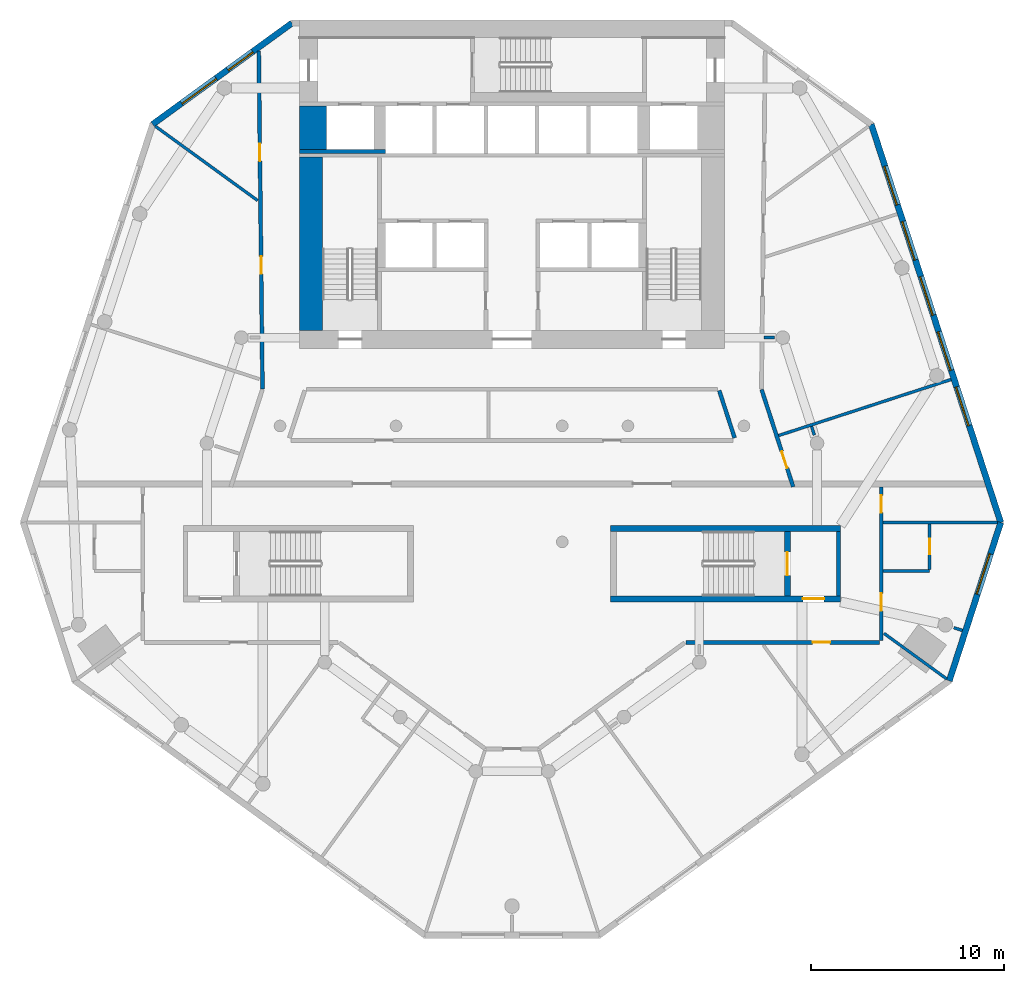
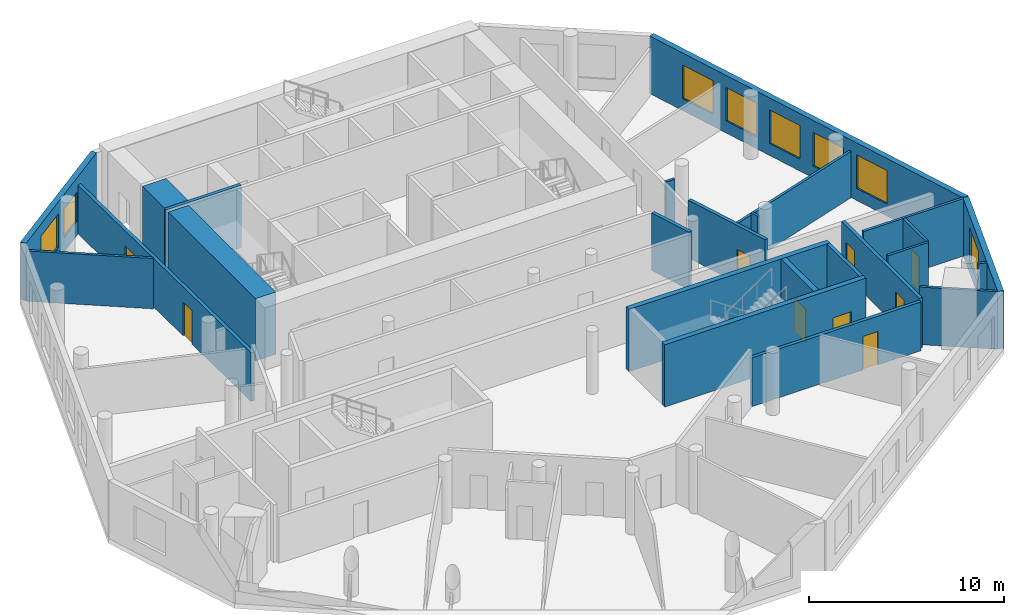
# One storey, part 4 of 8: 24 walls, 9 doors, 8 windows, 17 openings.
"""IFC4 building model written with IfcOpenShell, lengths in metres."""

import ifcopenshell
import ifcopenshell.guid

model = None  # the IFC model being written
_history = None  # IfcOwnerHistory: only IFC2X3 demands one
_inside = {}  # id of a spatial element -> (the spatial element, [elements in it])
_under = {}  # id of a project, library or spatial element -> (it, [spatial elements below it])
_declared = {}  # id of a project -> (the project, [libraries it declares])
_typed = {}  # id of a type object -> (the type object, [elements of that type])
_made_of = {}  # id of a material, layer set ... -> (it, [elements and type objects made of it])


def new_model(schema):
    """Start an empty IFC model of exactly this schema.

    Asked for "IFC4X3", IfcOpenShell would pick the latest addendum, in which some entities
    have other attributes; the version numbers below select the first issue.
    IFC2X3 requires an IfcOwnerHistory on every rooted entity: one is made here for all.
    """
    global model, _history
    if schema == "IFC4X3":
        model = ifcopenshell.file(schema_version=(4, 3, 0, 0))
    else:
        model = ifcopenshell.file(schema=schema)
    _inside.clear()
    _under.clear()
    _declared.clear()
    _typed.clear()
    _made_of.clear()
    _history = None
    if model.schema == "IFC2X3":
        org = make("IfcOrganization", Name="unknown")
        user = make(
            "IfcPersonAndOrganization",
            ThePerson=make("IfcPerson", FamilyName="unknown"),
            TheOrganization=org,
        )
        app = make(
            "IfcApplication",
            ApplicationDeveloper=org,
            Version="unknown",
            ApplicationFullName="unknown",
            ApplicationIdentifier="unknown",
        )
        _history = make(
            "IfcOwnerHistory",
            OwningUser=user,
            OwningApplication=app,
            ChangeAction="ADDED",
            CreationDate=0,
        )
    return model


def make(cls, **values):
    """One entity of the class cls with the attributes given. An attribute that is None is left unset."""
    return model.create_entity(
        cls, **{name: value for name, value in values.items() if value is not None}
    )


def rooted(cls, **values):
    """An entity with a GlobalId (a new one), such as an element, a storey or a relation."""
    return make(cls, GlobalId=ifcopenshell.guid.new(), OwnerHistory=_history, **values)


def si_unit(unit_type, name, prefix=None):
    """IfcSIUnit, for example si_unit("LENGTHUNIT", "METRE", prefix="MILLI")."""
    return make("IfcSIUnit", UnitType=unit_type, Prefix=prefix, Name=name)


def assignment(units):
    """IfcUnitAssignment: the units of a project."""
    return None if units is None else make("IfcUnitAssignment", Units=units)


def point(xyz):
    """IfcCartesianPoint."""
    return None if xyz is None else make("IfcCartesianPoint", Coordinates=xyz)


def direction(xyz):
    """IfcDirection."""
    return None if xyz is None else make("IfcDirection", DirectionRatios=xyz)


def frame(location, z_axis=None, x_axis=None):
    """IfcAxis2Placement3D, a coordinate frame: its origin and axes. An axis left out is left unset."""
    return make(
        "IfcAxis2Placement3D",
        Location=point(location),
        Axis=direction(z_axis),
        RefDirection=direction(x_axis),
    )


def frame_2d(location, x_axis=None):
    """IfcAxis2Placement2D, a coordinate frame in the plane: its origin and x axis."""
    return make(
        "IfcAxis2Placement2D", Location=point(location), RefDirection=direction(x_axis)
    )


def origin():
    """The frame at (0, 0, 0) with its axes left unset."""
    return frame((0.0, 0.0, 0.0))


def place(relative_to, where):
    """IfcLocalPlacement: puts the frame where relative to a parent placement (None: the world)."""
    return make(
        "IfcLocalPlacement", PlacementRelTo=relative_to, RelativePlacement=where
    )


def context(
    kind, dimensions, precision=None, world=None, true_north=None, identifier=None
):
    """IfcGeometricRepresentationContext, for example the 3D "Model" context."""
    return make(
        "IfcGeometricRepresentationContext",
        ContextIdentifier=identifier,
        ContextType=kind,
        CoordinateSpaceDimension=dimensions,
        Precision=precision,
        WorldCoordinateSystem=world,
        TrueNorth=true_north,
    )


def subcontext(parent, identifier, kind, view, scale=None):
    """IfcGeometricRepresentationSubContext, for example "Body" below "Model"."""
    return make(
        "IfcGeometricRepresentationSubContext",
        ContextIdentifier=identifier,
        ContextType=kind,
        ParentContext=parent,
        TargetScale=scale,
        TargetView=view,
    )


def project(units=None, contexts=None):
    """IfcProject with its units and contexts."""
    return rooted(
        "IfcProject",
        Name="project",
        RepresentationContexts=contexts,
        UnitsInContext=assignment(units),
    )


def spatial(cls, under=None, at=None, **own):
    """A site, building, storey or space (cls), placed at a placement, below another one or the project."""
    s = rooted(cls, ObjectPlacement=at, **own)
    if under is not None:
        _under.setdefault(under.id(), (under, []))[1].append(s)
    return s


def profile(cls, at=None, kind="AREA", **sizes):
    """A parametric profile (cls). Its sizes go by their IFC names, for example OverallWidth=200.0."""
    return make(cls, ProfileType=kind, Position=at, **sizes)


def rectangle(**sizes):
    """IfcRectangleProfileDef."""
    return profile("IfcRectangleProfileDef", **sizes)


def extrude(swept, where, along, depth):
    """IfcExtrudedAreaSolid: the profile swept, set in the frame where, extruded along a direction by depth."""
    return make(
        "IfcExtrudedAreaSolid",
        SweptArea=swept,
        Position=where,
        ExtrudedDirection=direction(along),
        Depth=depth,
    )


def shape(context_of_items, identifier, shape_type, items):
    """IfcShapeRepresentation: the items that make up one representation, for example the "Body"."""
    return make(
        "IfcShapeRepresentation",
        ContextOfItems=context_of_items,
        RepresentationIdentifier=identifier,
        RepresentationType=shape_type,
        Items=items,
    )


def material(Name=None, Category=None):
    """IfcMaterial."""
    return make("IfcMaterial", Name=Name, Category=Category)


def layer(
    of_material, thickness, ventilated=None, Name=None, Category=None, Priority=None
):
    """IfcMaterialLayer: one layer of a wall or slab, of a material (None: an air gap)."""
    return make(
        "IfcMaterialLayer",
        Material=of_material,
        LayerThickness=thickness,
        IsVentilated=ventilated,
        Name=Name,
        Category=Category,
        Priority=Priority,
    )


def layer_set(layers, Name=None):
    """IfcMaterialLayerSet."""
    return make("IfcMaterialLayerSet", MaterialLayers=layers, LayerSetName=Name)


def made_of(thing, what):
    """Note that an element or type object is made of a material, layer set ...; save() writes the relation."""
    if what is not None:
        _made_of.setdefault(what.id(), (what, []))[1].append(thing)
    return thing


def type_object(cls, material=None, **own):
    """A type object (cls), such as IfcWallType, which elements share."""
    return made_of(rooted(cls, **own), material)


def element(
    cls,
    number,
    at=None,
    inside=None,
    cuts=None,
    type_object=None,
    material=None,
    context=None,
    identifier="Body",
    shape_type=None,
    held_by="IfcProductDefinitionShape",
    body=None,
    shapes=None,
    **own,
):
    """One element of the class cls, such as IfcWall. Its Tag is "e" and its number.

    at: its placement. inside: the storey or other place that contains it. cuts: it is an
    opening in that element (IfcRelVoidsElement). A single representation is given by context,
    identifier, shape_type and body (its items); several are given by shapes. held_by: the class
    of the entity that holds the representations. save() writes the other relations.
    """
    e = rooted(cls, Tag="e%d" % number, ObjectPlacement=at, **own)
    if body is not None:
        shapes = [shape(context, identifier, shape_type, body)]
    if shapes is not None:
        e.Representation = make(held_by, Representations=shapes)
    if inside is not None:
        _inside.setdefault(inside.id(), (inside, []))[1].append(e)
    if cuts is not None:
        rooted(
            "IfcRelVoidsElement", RelatingBuildingElement=cuts, RelatedOpeningElement=e
        )
    if type_object is not None:
        _typed.setdefault(type_object.id(), (type_object, []))[1].append(e)
    return made_of(e, material)


def fill(opening, filler):
    """IfcRelFillsElement: the door or window that sits in an opening."""
    return rooted(
        "IfcRelFillsElement",
        RelatingOpeningElement=opening,
        RelatedBuildingElement=filler,
    )


def aggregate(whole, parts):
    """IfcRelAggregates: a whole, such as a stair, and the parts it consists of."""
    return rooted("IfcRelAggregates", RelatingObject=whole, RelatedObjects=parts)


def save(model, path):
    """Write the relations noted so far, then the file.

    IfcRelAggregates (storeys below a building ...), IfcRelContainedInSpatialStructure (elements
    in a storey), IfcRelDefinesByType, IfcRelAssociatesMaterial and IfcRelDeclares: one each for
    every whole, place, type object, material and project.
    """
    for whole, parts in _under.values():
        aggregate(whole, parts)
    for where, things in _inside.values():
        rooted(
            "IfcRelContainedInSpatialStructure",
            RelatedElements=things,
            RelatingStructure=where,
        )
    for kind, things in _typed.values():
        rooted("IfcRelDefinesByType", RelatedObjects=things, RelatingType=kind)
    for what, things in _made_of.values():
        rooted("IfcRelAssociatesMaterial", RelatedObjects=things, RelatingMaterial=what)
    for by, libraries in _declared.values():
        rooted("IfcRelDeclares", RelatingContext=by, RelatedDefinitions=libraries)
    model.write(path)


model = new_model("IFC4")

# Units and contexts
model_context = context("Model", 3, precision=1e-05, world=origin(), true_north=direction((0.0, 1.0)))
body_context = subcontext(model_context, "Body", "Model", "MODEL_VIEW")
ifc_project = project(units=[si_unit("LENGTHUNIT", "METRE"), si_unit("AREAUNIT", "SQUARE_METRE"), si_unit("VOLUMEUNIT", "CUBIC_METRE"), si_unit("PLANEANGLEUNIT", "RADIAN"), si_unit("MASSUNIT", "GRAM", prefix="KILO")], contexts=[model_context])

# Site, building, storey
site_placement = place(None, origin())
site = spatial("IfcSite", under=ifc_project, at=site_placement, CompositionType="ELEMENT")
building_placement = place(site_placement, origin())
building = spatial("IfcBuilding", under=site, at=building_placement, Name="White Candle Pilgrim Tower", CompositionType="ELEMENT")
storey_placement = place(building_placement, frame((0.0, 0.0, 152.5)))
storey = spatial("IfcBuildingStorey", under=building, at=storey_placement, Name="L34", CompositionType="ELEMENT", Elevation=152.5)

# Walls
ifc_material_1 = material(Name="Concrete C60/75", Category="concrete")
ifc_layer_1 = layer(ifc_material_1, 1.39990234375)
ifc_layer_set_1 = layer_set([ifc_layer_1], Name="Core wall 1400 mm Concrete C60/75")
wall_type_1 = type_object("IfcWallType", Name="Core wall 1400 mm Concrete C60/75", PredefinedType="SHEAR", material=ifc_layer_set_1)
wall_1_placement = place(storey_placement, frame((59.699951171875, 81.300048828125, 0.0), z_axis=(0.0, 0.0, 1.0), x_axis=(0.0, 1.0, 0.0)))
element("IfcWall", 1, at=wall_1_placement, inside=storey, type_object=wall_type_1, Name="WL-L34-C37", PredefinedType="SHEAR", context=body_context, shape_type="SweptSolid", body=[
    extrude(rectangle(XDim=2.25, YDim=1.39990234375, at=frame_2d((1.125, 0.0))), origin(), (0.0, 0.0, 1.0), 3.89990234375),
])
ifc_layer_2 = layer(ifc_material_1, 0.199951171875)
ifc_layer_set_2 = layer_set([ifc_layer_2], Name="Core wall 200 mm Concrete C60/75")
wall_type_2 = type_object("IfcWallType", Name="Core wall 200 mm Concrete C60/75", PredefinedType="SHEAR", material=ifc_layer_set_2)
wall_2_placement = place(storey_placement, frame((86.89990234375, 58.199951171875, 0.0), z_axis=(0.0, 0.0, 1.0), x_axis=(0.0, 1.0, 0.0)))
element("IfcWall", 2, at=wall_2_placement, inside=storey, type_object=wall_type_2, Name="WL-L34-C08", PredefinedType="SHEAR", context=body_context, shape_type="SweptSolid", body=[
    extrude(rectangle(XDim=3.35009765625, YDim=0.199951171875, at=frame_2d((1.675048828125, 0.0))), origin(), (0.0, 0.0, 1.0), 3.89990234375),
])
wall_3_placement = place(storey_placement, frame((59.0, 81.199951171875, 0.0), z_axis=(0.0, 0.0, 1.0), x_axis=(1.0, 0.0, 0.0)))
element("IfcWall", 3, at=wall_3_placement, inside=storey, type_object=wall_type_2, Name="WL-L34-C31", PredefinedType="SHEAR", context=body_context, shape_type="SweptSolid", body=[
    extrude(rectangle(XDim=4.449951171875, YDim=0.199951171875, at=frame_2d((2.22509765625, 0.0))), origin(), (0.0, 0.0, 1.0), 3.89990234375),
])

# Wall, openings, doors
ifc_material_2 = material(Name="Gypsum board on steel studs", Category="steel")
ifc_layer_3 = layer(ifc_material_2, 0.199951171875)
ifc_layer_set_3 = layer_set([ifc_layer_3], Name="Corridor wall 200 mm EI 45")
wall_type_3 = type_object("IfcWallType", Name="Corridor wall 200 mm EI 45", PredefinedType="PARTITIONING", material=ifc_layer_set_3)
wall_4_placement = place(storey_placement, frame((57.09326171875, 68.91650390625, 0.0), z_axis=(0.0, 0.0, 1.0), x_axis=(-0.011061239263, 0.999938822622, 0.0)))
wall_4 = element("IfcWall", 4, at=wall_4_placement, inside=storey, type_object=wall_type_3, Name="WL-L34-P003", PredefinedType="PARTITIONING", context=body_context, shape_type="SweptSolid", body=[
    extrude(rectangle(XDim=17.480712890625, YDim=0.199951171875, at=frame_2d((8.740234375, 0.0))), origin(), (0.0, 0.0, 1.0), 3.050048828125),
])
opening_1_placement = place(wall_4_placement, frame((5.951416015625, 0.0, 0.0)))
opening_1 = element("IfcOpeningElement", 5, at=opening_1_placement, cuts=wall_4, Name="Opening T10-118", PredefinedType="OPENING", context=body_context, shape_type="SweptSolid", body=[
    extrude(rectangle(XDim=0.89990234375, YDim=2.10009765625, at=frame_2d((0.449951171875, 1.050048828125))), frame((0.0, 0.10986328125, 0.0), z_axis=(0.0, -1.0, 0.0), x_axis=(1.0, 0.0, 0.0)), (0.0, 0.0, 1.0), 0.219970703125),
])
opening_2_placement = place(wall_4_placement, frame((11.78662109375, 0.0, 0.0)))
opening_2 = element("IfcOpeningElement", 6, at=opening_2_placement, cuts=wall_4, Name="Opening T10-119", PredefinedType="OPENING", context=body_context, shape_type="SweptSolid", body=[
    extrude(rectangle(XDim=0.89990234375, YDim=2.10009765625, at=frame_2d((0.449951171875, 1.050048828125))), frame((0.0, 0.10986328125, 0.0), z_axis=(0.0, -1.0, 0.0), x_axis=(1.0, 0.0, 0.0)), (0.0, 0.0, 1.0), 0.219970703125),
])
ifc_material_3 = material(Name="Steel door leaf", Category="steel")
door_type_1 = type_object("IfcDoorType", Name="Fire door 900 x 2100 EI 30", OperationType="NOTDEFINED", PredefinedType="DOOR", material=ifc_material_3)
door_1_placement = place(opening_1_placement, origin())
door_1 = element("IfcDoor", 7, at=door_1_placement, inside=storey, type_object=door_type_1, Name="Door T10-118", OperationType="SINGLE_SWING_RIGHT", OverallHeight=2.10009765625, OverallWidth=0.89990234375, PredefinedType="DOOR", context=body_context, shape_type="SweptSolid", body=[
    extrude(rectangle(XDim=0.89990234375, YDim=2.10009765625, at=frame_2d((0.449951171875, 1.050048828125))), frame((0.0, 0.02490234375, 0.0), z_axis=(0.0, -1.0, 0.0), x_axis=(1.0, 0.0, 0.0)), (0.0, 0.0, 1.0), 0.050048828125),
])
fill(opening_1, door_1)
door_2_placement = place(opening_2_placement, origin())
door_2 = element("IfcDoor", 8, at=door_2_placement, inside=storey, type_object=door_type_1, Name="Door T10-119", OperationType="SINGLE_SWING_LEFT", OverallHeight=2.10009765625, OverallWidth=0.89990234375, PredefinedType="DOOR", context=body_context, shape_type="SweptSolid", body=[
    extrude(rectangle(XDim=0.89990234375, YDim=2.10009765625, at=frame_2d((0.449951171875, 1.050048828125))), frame((0.0, 0.02490234375, 0.0), z_axis=(0.0, -1.0, 0.0), x_axis=(1.0, 0.0, 0.0)), (0.0, 0.0, 1.0), 0.050048828125),
])
fill(opening_2, door_2)

# Wall, opening, door
wall_5_placement = place(storey_placement, frame((82.91162109375, 68.884521484375, 0.0), z_axis=(0.0, 0.0, 1.0), x_axis=(0.309009941901, -0.951058807754, 0.0)))
wall_5 = element("IfcWall", 9, at=wall_5_placement, inside=storey, type_object=wall_type_3, Name="WL-L34-P005", PredefinedType="PARTITIONING", context=body_context, shape_type="SweptSolid", body=[
    extrude(rectangle(XDim=5.29345703125, YDim=0.199951171875, at=frame_2d((2.646728515625, 0.0))), origin(), (0.0, 0.0, 1.0), 3.60009765625),
])
opening_3_placement = place(wall_5_placement, frame((3.375, 0.0, 0.0)))
opening_3 = element("IfcOpeningElement", 10, at=opening_3_placement, cuts=wall_5, Name="Opening T10-123", PredefinedType="OPENING", context=body_context, shape_type="SweptSolid", body=[
    extrude(rectangle(XDim=0.89990234375, YDim=2.10009765625, at=frame_2d((0.449951171875, 1.050048828125))), frame((0.0, 0.10986328125, 0.0), z_axis=(0.0, -1.0, 0.0), x_axis=(1.0, 0.0, 0.0)), (0.0, 0.0, 1.0), 0.219970703125),
])
door_3_placement = place(opening_3_placement, origin())
door_3 = element("IfcDoor", 11, at=door_3_placement, inside=storey, type_object=door_type_1, Name="Door T10-123", OperationType="SINGLE_SWING_LEFT", OverallHeight=2.10009765625, OverallWidth=0.89990234375, PredefinedType="DOOR", context=body_context, shape_type="SweptSolid", body=[
    extrude(rectangle(XDim=0.89990234375, YDim=2.10009765625, at=frame_2d((0.449951171875, 1.050048828125))), frame((0.0, 0.02490234375, 0.0), z_axis=(0.0, -1.0, 0.0), x_axis=(1.0, 0.0, 0.0)), (0.0, 0.0, 1.0), 0.050048828125),
])
fill(opening_3, door_3)

# Wall, openings, doors
wall_6_placement = place(storey_placement, frame((89.10009765625, 63.85009765625, 0.0), z_axis=(0.0, 0.0, 1.0), x_axis=(0.0, -1.0, 0.0)))
wall_6 = element("IfcWall", 12, at=wall_6_placement, inside=storey, type_object=wall_type_3, Name="WL-L34-P006", PredefinedType="PARTITIONING", context=body_context, shape_type="SweptSolid", body=[
    extrude(rectangle(XDim=7.9501953125, YDim=0.199951171875, at=frame_2d((3.97509765625, 0.0))), origin(), (0.0, 0.0, 1.0), 3.14990234375),
])
opening_4_placement = place(wall_6_placement, frame((5.51220703125, 0.0, 0.0)))
opening_4 = element("IfcOpeningElement", 13, at=opening_4_placement, cuts=wall_6, Name="Opening T10-112", PredefinedType="OPENING", context=body_context, shape_type="SweptSolid", body=[
    extrude(rectangle(XDim=0.89990234375, YDim=2.10009765625, at=frame_2d((0.449951171875, 1.050048828125))), frame((0.0, 0.10986328125, 0.0), z_axis=(0.0, -1.0, 0.0), x_axis=(1.0, 0.0, 0.0)), (0.0, 0.0, 1.0), 0.219970703125),
])
opening_5_placement = place(wall_6_placement, frame((0.436279296875, 0.0, 0.0)))
opening_5 = element("IfcOpeningElement", 14, at=opening_5_placement, cuts=wall_6, Name="Opening T10-124", PredefinedType="OPENING", context=body_context, shape_type="SweptSolid", body=[
    extrude(rectangle(XDim=0.89990234375, YDim=2.10009765625, at=frame_2d((0.449951171875, 1.050048828125))), frame((0.0, 0.10986328125, 0.0), z_axis=(0.0, -1.0, 0.0), x_axis=(1.0, 0.0, 0.0)), (0.0, 0.0, 1.0), 0.219970703125),
])
door_4_placement = place(opening_4_placement, origin())
door_4 = element("IfcDoor", 15, at=door_4_placement, inside=storey, type_object=door_type_1, Name="Door T10-112", OperationType="SINGLE_SWING_RIGHT", OverallHeight=2.10009765625, OverallWidth=0.89990234375, PredefinedType="DOOR", context=body_context, shape_type="SweptSolid", body=[
    extrude(rectangle(XDim=0.89990234375, YDim=2.10009765625, at=frame_2d((0.449951171875, 1.050048828125))), frame((0.0, 0.02490234375, 0.0), z_axis=(0.0, -1.0, 0.0), x_axis=(1.0, 0.0, 0.0)), (0.0, 0.0, 1.0), 0.050048828125),
])
fill(opening_4, door_4)
door_5_placement = place(opening_5_placement, origin())
door_5 = element("IfcDoor", 16, at=door_5_placement, inside=storey, type_object=door_type_1, Name="Door T10-124", OperationType="SINGLE_SWING_RIGHT", OverallHeight=2.10009765625, OverallWidth=0.89990234375, PredefinedType="DOOR", context=body_context, shape_type="SweptSolid", body=[
    extrude(rectangle(XDim=0.89990234375, YDim=2.10009765625, at=frame_2d((0.449951171875, 1.050048828125))), frame((0.0, 0.02490234375, 0.0), z_axis=(0.0, -1.0, 0.0), x_axis=(1.0, 0.0, 0.0)), (0.0, 0.0, 1.0), 0.050048828125),
])
fill(opening_5, door_5)

# Wall, opening, door
wall_7_placement = place(storey_placement, frame((89.0, 55.800048828125, 0.0), z_axis=(0.0, 0.0, 1.0), x_axis=(-1.0, 0.0, 0.0)))
wall_7 = element("IfcWall", 17, at=wall_7_placement, inside=storey, type_object=wall_type_3, Name="WL-L34-P007", PredefinedType="PARTITIONING", context=body_context, shape_type="SweptSolid", body=[
    extrude(rectangle(XDim=10.010986328125, YDim=0.199951171875, at=frame_2d((5.00537109375, 0.0))), origin(), (0.0, 0.0, 1.0), 3.050048828125),
])
opening_6_placement = place(wall_7_placement, frame((2.548583984375, 0.0, 0.0)))
opening_6 = element("IfcOpeningElement", 18, at=opening_6_placement, cuts=wall_7, Name="Opening T10-110", PredefinedType="OPENING", context=body_context, shape_type="SweptSolid", body=[
    extrude(rectangle(XDim=0.89990234375, YDim=2.10009765625, at=frame_2d((0.449951171875, 1.050048828125))), frame((0.0, 0.10986328125, 0.0), z_axis=(0.0, -1.0, 0.0), x_axis=(1.0, 0.0, 0.0)), (0.0, 0.0, 1.0), 0.219970703125),
])
door_6_placement = place(opening_6_placement, origin())
door_6 = element("IfcDoor", 19, at=door_6_placement, inside=storey, type_object=door_type_1, Name="Door T10-110", OperationType="SINGLE_SWING_RIGHT", OverallHeight=2.10009765625, OverallWidth=0.89990234375, PredefinedType="DOOR", context=body_context, shape_type="SweptSolid", body=[
    extrude(rectangle(XDim=0.89990234375, YDim=2.10009765625, at=frame_2d((0.449951171875, 1.050048828125))), frame((0.0, 0.02490234375, 0.0), z_axis=(0.0, -1.0, 0.0), x_axis=(1.0, 0.0, 0.0)), (0.0, 0.0, 1.0), 0.050048828125),
])
fill(opening_6, door_6)

# Wall
wall_8_placement = place(storey_placement, frame((81.516845703125, 66.380859375, 0.0), z_axis=(0.0, 0.0, 1.0), x_axis=(-0.308968203288, 0.951072368097, 0.0)))
element("IfcWall", 20, at=wall_8_placement, inside=storey, type_object=wall_type_3, Name="WL-L34-P014", PredefinedType="PARTITIONING", context=body_context, shape_type="SweptSolid", body=[
    extrude(rectangle(XDim=2.575927734375, YDim=0.199951171875, at=frame_2d((1.2880859375, 0.0))), origin(), (0.0, 0.0, 1.0), 3.60009765625),
])

# Wall, opening, window
ifc_material_4 = material(Name="Precast concrete C40/50", Category="concrete")
ifc_layer_4 = layer(ifc_material_4, 0.320068359375)
ifc_layer_set_4 = layer_set([ifc_layer_4], Name="Facade wall EW1 precast concrete C40/50 pier wall with timber-lined reveals")
wall_type_4 = type_object("IfcWallType", Name="Facade wall EW1 precast concrete C40/50 pier wall with timber-lined reveals", PredefinedType="SOLIDWALL", material=ifc_layer_set_4)
wall_9_placement = place(storey_placement, frame((92.623291015625, 53.81396484375, 0.0), z_axis=(0.0, 0.0, 1.0), x_axis=(0.309030288319, 0.951052196728, 0.0)))
wall_9 = element("IfcWall", 21, at=wall_9_placement, inside=storey, type_object=wall_type_4, Name="Facade wall L34 E chamfer", PredefinedType="SOLIDWALL", context=body_context, shape_type="SweptSolid", body=[
    extrude(rectangle(XDim=8.609619140625, YDim=0.320068359375, at=frame_2d((4.3046875, 0.0))), origin(), (0.0, 0.0, 1.0), 3.60009765625),
])
opening_7_placement = place(wall_9_placement, frame((4.704833984375, 0.0, 0.75)))
opening_7 = element("IfcOpeningElement", 22, at=opening_7_placement, cuts=wall_9, Name="Opening W4", PredefinedType="OPENING", context=body_context, shape_type="SweptSolid", body=[
    extrude(rectangle(XDim=2.199951171875, YDim=2.10009765625, at=frame_2d((1.10009765625, 1.050048828125))), frame((0.0, 0.169921875, 0.0), z_axis=(0.0, -1.0, 0.0), x_axis=(1.0, 0.0, 0.0)), (0.0, 0.0, 1.0), 0.340087890625),
])
ifc_material_5 = material(Name="Timber frame with triple glazing", Category="wood")
window_type_1 = type_object("IfcWindowType", Name="Window W4 2200x2100 timber frame triple glazing", PartitioningType="SINGLE_PANEL", PredefinedType="WINDOW", material=ifc_material_5)
window_1_placement = place(opening_7_placement, origin())
window_1 = element("IfcWindow", 23, at=window_1_placement, inside=storey, type_object=window_type_1, Name="Window W4 L34 E chamfer 2", OverallHeight=2.10009765625, OverallWidth=2.199951171875, PartitioningType="SINGLE_PANEL", PredefinedType="WINDOW", context=body_context, shape_type="SweptSolid", body=[
    extrude(rectangle(XDim=2.199951171875, YDim=2.10009765625, at=frame_2d((1.10009765625, 1.050048828125))), frame((0.0, 0.070068359375, 0.0), z_axis=(0.0, -1.0, 0.0), x_axis=(1.0, 0.0, 0.0)), (0.0, 0.0, 1.0), 0.06005859375),
])
fill(opening_7, window_1)

# Wall, openings, windows
wall_10_placement = place(storey_placement, frame((95.283935546875, 62.002197265625, 0.0), z_axis=(0.0, 0.0, 1.0), x_axis=(-0.309020837221, 0.95105526767, 0.0)))
wall_10 = element("IfcWall", 24, at=wall_10_placement, inside=storey, type_object=wall_type_4, Name="Facade wall L34 ENE", PredefinedType="SOLIDWALL", context=body_context, shape_type="SweptSolid", body=[
    extrude(rectangle(XDim=21.663818359375, YDim=0.320068359375, at=frame_2d((10.83203125, 0.0))), origin(), (0.0, 0.0, 1.0), 3.60009765625),
])
opening_8_placement = place(wall_10_placement, frame((5.281982421875, 0.0, 0.75)))
opening_8 = element("IfcOpeningElement", 25, at=opening_8_placement, cuts=wall_10, Name="Opening W3", PredefinedType="OPENING", context=body_context, shape_type="SweptSolid", body=[
    extrude(rectangle(XDim=2.10009765625, YDim=2.10009765625, at=frame_2d((1.050048828125, 1.050048828125))), frame((0.0, 0.169921875, 0.0), z_axis=(0.0, -1.0, 0.0), x_axis=(1.0, 0.0, 0.0)), (0.0, 0.0, 1.0), 0.340087890625),
])
opening_9_placement = place(wall_10_placement, frame((8.281982421875, 0.0, 0.75)))
opening_9 = element("IfcOpeningElement", 26, at=opening_9_placement, cuts=wall_10, Name="Opening W3", PredefinedType="OPENING", context=body_context, shape_type="SweptSolid", body=[
    extrude(rectangle(XDim=2.10009765625, YDim=2.10009765625, at=frame_2d((1.050048828125, 1.050048828125))), frame((0.0, 0.169921875, 0.0), z_axis=(0.0, -1.0, 0.0), x_axis=(1.0, 0.0, 0.0)), (0.0, 0.0, 1.0), 0.340087890625),
])
opening_10_placement = place(wall_10_placement, frame((11.281982421875, 0.0, 0.75)))
opening_10 = element("IfcOpeningElement", 27, at=opening_10_placement, cuts=wall_10, Name="Opening W3", PredefinedType="OPENING", context=body_context, shape_type="SweptSolid", body=[
    extrude(rectangle(XDim=2.10009765625, YDim=2.10009765625, at=frame_2d((1.050048828125, 1.050048828125))), frame((0.0, 0.169921875, 0.0), z_axis=(0.0, -1.0, 0.0), x_axis=(1.0, 0.0, 0.0)), (0.0, 0.0, 1.0), 0.340087890625),
])
opening_11_placement = place(wall_10_placement, frame((14.281982421875, 0.0, 0.75)))
opening_11 = element("IfcOpeningElement", 28, at=opening_11_placement, cuts=wall_10, Name="Opening W3", PredefinedType="OPENING", context=body_context, shape_type="SweptSolid", body=[
    extrude(rectangle(XDim=2.10009765625, YDim=2.10009765625, at=frame_2d((1.050048828125, 1.050048828125))), frame((0.0, 0.169921875, 0.0), z_axis=(0.0, -1.0, 0.0), x_axis=(1.0, 0.0, 0.0)), (0.0, 0.0, 1.0), 0.340087890625),
])
opening_12_placement = place(wall_10_placement, frame((17.281982421875, 0.0, 0.75)))
opening_12 = element("IfcOpeningElement", 29, at=opening_12_placement, cuts=wall_10, Name="Opening W3", PredefinedType="OPENING", context=body_context, shape_type="SweptSolid", body=[
    extrude(rectangle(XDim=2.10009765625, YDim=2.10009765625, at=frame_2d((1.050048828125, 1.050048828125))), frame((0.0, 0.169921875, 0.0), z_axis=(0.0, -1.0, 0.0), x_axis=(1.0, 0.0, 0.0)), (0.0, 0.0, 1.0), 0.340087890625),
])
window_type_2 = type_object("IfcWindowType", Name="Window W3 2100x2100 timber frame triple glazing", PartitioningType="SINGLE_PANEL", PredefinedType="WINDOW", material=ifc_material_5)
window_2_placement = place(opening_8_placement, origin())
window_2 = element("IfcWindow", 30, at=window_2_placement, inside=storey, type_object=window_type_2, Name="Window W3 L34 ENE 2", OverallHeight=2.10009765625, OverallWidth=2.10009765625, PartitioningType="SINGLE_PANEL", PredefinedType="WINDOW", context=body_context, shape_type="SweptSolid", body=[
    extrude(rectangle(XDim=2.10009765625, YDim=2.10009765625, at=frame_2d((1.050048828125, 1.050048828125))), frame((0.0, 0.070068359375, 0.0), z_axis=(0.0, -1.0, 0.0), x_axis=(1.0, 0.0, 0.0)), (0.0, 0.0, 1.0), 0.06005859375),
])
fill(opening_8, window_2)
window_3_placement = place(opening_9_placement, origin())
window_3 = element("IfcWindow", 31, at=window_3_placement, inside=storey, type_object=window_type_2, Name="Window W3 L34 ENE 3", OverallHeight=2.10009765625, OverallWidth=2.10009765625, PartitioningType="SINGLE_PANEL", PredefinedType="WINDOW", context=body_context, shape_type="SweptSolid", body=[
    extrude(rectangle(XDim=2.10009765625, YDim=2.10009765625, at=frame_2d((1.050048828125, 1.050048828125))), frame((0.0, 0.070068359375, 0.0), z_axis=(0.0, -1.0, 0.0), x_axis=(1.0, 0.0, 0.0)), (0.0, 0.0, 1.0), 0.06005859375),
])
fill(opening_9, window_3)
window_4_placement = place(opening_10_placement, origin())
window_4 = element("IfcWindow", 32, at=window_4_placement, inside=storey, type_object=window_type_2, Name="Window W3 L34 ENE 4", OverallHeight=2.10009765625, OverallWidth=2.10009765625, PartitioningType="SINGLE_PANEL", PredefinedType="WINDOW", context=body_context, shape_type="SweptSolid", body=[
    extrude(rectangle(XDim=2.10009765625, YDim=2.10009765625, at=frame_2d((1.050048828125, 1.050048828125))), frame((0.0, 0.070068359375, 0.0), z_axis=(0.0, -1.0, 0.0), x_axis=(1.0, 0.0, 0.0)), (0.0, 0.0, 1.0), 0.06005859375),
])
fill(opening_10, window_4)
window_5_placement = place(opening_11_placement, origin())
window_5 = element("IfcWindow", 33, at=window_5_placement, inside=storey, type_object=window_type_2, Name="Window W3 L34 ENE 5", OverallHeight=2.10009765625, OverallWidth=2.10009765625, PartitioningType="SINGLE_PANEL", PredefinedType="WINDOW", context=body_context, shape_type="SweptSolid", body=[
    extrude(rectangle(XDim=2.10009765625, YDim=2.10009765625, at=frame_2d((1.050048828125, 1.050048828125))), frame((0.0, 0.070068359375, 0.0), z_axis=(0.0, -1.0, 0.0), x_axis=(1.0, 0.0, 0.0)), (0.0, 0.0, 1.0), 0.06005859375),
])
fill(opening_11, window_5)
window_6_placement = place(opening_12_placement, origin())
window_6 = element("IfcWindow", 34, at=window_6_placement, inside=storey, type_object=window_type_2, Name="Window W3 L34 ENE 6", OverallHeight=2.10009765625, OverallWidth=2.10009765625, PartitioningType="SINGLE_PANEL", PredefinedType="WINDOW", context=body_context, shape_type="SweptSolid", body=[
    extrude(rectangle(XDim=2.10009765625, YDim=2.10009765625, at=frame_2d((1.050048828125, 1.050048828125))), frame((0.0, 0.070068359375, 0.0), z_axis=(0.0, -1.0, 0.0), x_axis=(1.0, 0.0, 0.0)), (0.0, 0.0, 1.0), 0.06005859375),
])
fill(opening_12, window_6)

wall_11_placement = place(storey_placement, frame((58.614990234375, 87.840087890625, 0.0), z_axis=(0.0, 0.0, 1.0), x_axis=(-0.809011042426, -0.58779344436, 0.0)))
wall_11 = element("IfcWall", 35, at=wall_11_placement, inside=storey, type_object=wall_type_4, Name="Facade wall L34 NW chamfer", PredefinedType="SOLIDWALL", context=body_context, shape_type="SweptSolid", body=[
    extrude(rectangle(XDim=8.905029296875, YDim=0.320068359375, at=frame_2d((4.45263671875, 0.0))), origin(), (0.0, 0.0, 1.0), 3.60009765625),
])
opening_13_placement = place(wall_11_placement, frame((2.50244140625, 0.0, 0.89990234375)))
opening_13 = element("IfcOpeningElement", 36, at=opening_13_placement, cuts=wall_11, Name="Opening W2", PredefinedType="OPENING", context=body_context, shape_type="SweptSolid", body=[
    extrude(rectangle(XDim=1.60009765625, YDim=1.800048828125, at=frame_2d((0.800048828125, 0.89990234375))), frame((0.0, 0.169921875, 0.0), z_axis=(0.0, -1.0, 0.0), x_axis=(1.0, 0.0, 0.0)), (0.0, 0.0, 1.0), 0.340087890625),
])
opening_14_placement = place(wall_11_placement, frame((4.8525390625, 0.0, 0.75)))
opening_14 = element("IfcOpeningElement", 37, at=opening_14_placement, cuts=wall_11, Name="Opening W4", PredefinedType="OPENING", context=body_context, shape_type="SweptSolid", body=[
    extrude(rectangle(XDim=2.199951171875, YDim=2.10009765625, at=frame_2d((1.10009765625, 1.050048828125))), frame((0.0, 0.169921875, 0.0), z_axis=(0.0, -1.0, 0.0), x_axis=(1.0, 0.0, 0.0)), (0.0, 0.0, 1.0), 0.340087890625),
])
window_type_3 = type_object("IfcWindowType", Name="Window W2 1600x1800 timber frame triple glazing", PartitioningType="SINGLE_PANEL", PredefinedType="WINDOW", material=ifc_material_5)
window_7_placement = place(opening_13_placement, origin())
window_7 = element("IfcWindow", 38, at=window_7_placement, inside=storey, type_object=window_type_3, Name="Window W2 L34 NW chamfer 1", OverallHeight=1.800048828125, OverallWidth=1.60009765625, PartitioningType="SINGLE_PANEL", PredefinedType="WINDOW", context=body_context, shape_type="SweptSolid", body=[
    extrude(rectangle(XDim=1.60009765625, YDim=1.800048828125, at=frame_2d((0.800048828125, 0.89990234375))), frame((0.0, 0.070068359375, 0.0), z_axis=(0.0, -1.0, 0.0), x_axis=(1.0, 0.0, 0.0)), (0.0, 0.0, 1.0), 0.06005859375),
])
fill(opening_13, window_7)
window_8_placement = place(opening_14_placement, origin())
window_8 = element("IfcWindow", 39, at=window_8_placement, inside=storey, type_object=window_type_1, Name="Window W4 L34 NW chamfer 2", OverallHeight=2.10009765625, OverallWidth=2.199951171875, PartitioningType="SINGLE_PANEL", PredefinedType="WINDOW", context=body_context, shape_type="SweptSolid", body=[
    extrude(rectangle(XDim=2.199951171875, YDim=2.10009765625, at=frame_2d((1.10009765625, 1.050048828125))), frame((0.0, 0.070068359375, 0.0), z_axis=(0.0, -1.0, 0.0), x_axis=(1.0, 0.0, 0.0)), (0.0, 0.0, 1.0), 0.06005859375),
])
fill(opening_14, window_8)

# Walls
ifc_layer_5 = layer(ifc_material_2, 0.14990234375)
ifc_layer_set_5 = layer_set([ifc_layer_5], Name="Partition 150 mm EI 60")
wall_type_5 = type_object("IfcWallType", Name="Partition 150 mm EI 60", PredefinedType="PARTITIONING", material=ifc_layer_set_5)
wall_12_placement = place(storey_placement, frame((51.546875, 82.5068359375, 0.0), z_axis=(0.0, 0.0, 1.0), x_axis=(0.809023171625, -0.587776749944, 0.0)))
element("IfcWall", 40, at=wall_12_placement, inside=storey, type_object=wall_type_5, Name="WL-L34-P017", PredefinedType="PARTITIONING", context=body_context, shape_type="SweptSolid", body=[
    extrude(rectangle(XDim=6.543701171875, YDim=0.14990234375, at=frame_2d((3.27197265625, 0.0))), origin(), (0.0, 0.0, 1.0), 3.14990234375),
])
wall_13_placement = place(storey_placement, frame((92.4873046875, 53.91259765625, 0.0), z_axis=(0.0, 0.0, 1.0), x_axis=(-0.80899935581, 0.587809528928, 0.0)))
element("IfcWall", 41, at=wall_13_placement, inside=storey, type_object=wall_type_5, Name="WL-L34-P022", PredefinedType="PARTITIONING", context=body_context, shape_type="SweptSolid", body=[
    extrude(rectangle(XDim=4.0087890625, YDim=0.14990234375, at=frame_2d((2.00439453125, 0.0))), origin(), (0.0, 0.0, 1.0), 3.60009765625),
])
wall_14_placement = place(storey_placement, frame((95.115478515625, 62.002197265625, 0.0), z_axis=(0.0, 0.0, 1.0), x_axis=(-1.0, 0.0, 0.0)))
element("IfcWall", 42, at=wall_14_placement, inside=storey, type_object=wall_type_5, Name="WL-L34-P023", PredefinedType="PARTITIONING", context=body_context, shape_type="SweptSolid", body=[
    extrude(rectangle(XDim=5.91552734375, YDim=0.14990234375, at=frame_2d((2.957763671875, 0.0))), origin(), (0.0, 0.0, 1.0), 3.60009765625),
])
wall_15_placement = place(storey_placement, frame((89.199951171875, 59.502197265625, 0.0), z_axis=(0.0, 0.0, 1.0), x_axis=(1.0, 0.0, 0.0)))
element("IfcWall", 43, at=wall_15_placement, inside=storey, type_object=wall_type_5, Name="WL-L34-P034", PredefinedType="PARTITIONING", context=body_context, shape_type="SweptSolid", body=[
    extrude(rectangle(XDim=2.400146484375, YDim=0.14990234375, at=frame_2d((1.2001953125, 0.0))), origin(), (0.0, 0.0, 1.0), 3.60009765625),
])

# Wall, opening, door
wall_16_placement = place(storey_placement, frame((91.60009765625, 61.92724609375, 0.0), z_axis=(0.0, 0.0, 1.0), x_axis=(0.0, -1.0, 0.0)))
wall_16 = element("IfcWall", 44, at=wall_16_placement, inside=storey, type_object=wall_type_5, Name="WL-L34-P035", PredefinedType="PARTITIONING", context=body_context, shape_type="SweptSolid", body=[
    extrude(rectangle(XDim=2.35009765625, YDim=0.14990234375, at=frame_2d((1.175048828125, 0.0))), origin(), (0.0, 0.0, 1.0), 3.60009765625),
])
opening_15_placement = place(wall_16_placement, frame((0.77490234375, 0.0, 0.0)))
opening_15 = element("IfcOpeningElement", 45, at=opening_15_placement, cuts=wall_16, Name="Opening T10-111", PredefinedType="OPENING", context=body_context, shape_type="SweptSolid", body=[
    extrude(rectangle(XDim=0.800048828125, YDim=2.10009765625, at=frame_2d((0.39990234375, 1.050048828125))), frame((0.0, 0.0849609375, 0.0), z_axis=(0.0, -1.0, 0.0), x_axis=(1.0, 0.0, 0.0)), (0.0, 0.0, 1.0), 0.169921875),
])
door_type_2 = type_object("IfcDoorType", Name="Fire door 800 x 2100 EI 30", OperationType="NOTDEFINED", PredefinedType="DOOR", material=ifc_material_3)
door_7_placement = place(opening_15_placement, origin())
door_7 = element("IfcDoor", 46, at=door_7_placement, inside=storey, type_object=door_type_2, Name="Door T10-111", OperationType="SINGLE_SWING_LEFT", OverallHeight=2.10009765625, OverallWidth=0.800048828125, PredefinedType="DOOR", context=body_context, shape_type="SweptSolid", body=[
    extrude(rectangle(XDim=0.800048828125, YDim=2.10009765625, at=frame_2d((0.39990234375, 1.050048828125))), frame((0.0, 0.02490234375, 0.0), z_axis=(0.0, -1.0, 0.0), x_axis=(1.0, 0.0, 0.0)), (0.0, 0.0, 1.0), 0.050048828125),
])
fill(opening_15, door_7)

# Walls
wall_17_placement = place(storey_placement, frame((92.71142578125, 69.4013671875, 0.0), z_axis=(0.0, 0.0, 1.0), x_axis=(-0.951053194127, -0.30902721877, 0.0)))
element("IfcWall", 47, at=wall_17_placement, inside=storey, type_object=wall_type_5, Name="WL-L34-P036", PredefinedType="PARTITIONING", context=body_context, shape_type="SweptSolid", body=[
    extrude(rectangle(XDim=9.380126953125, YDim=0.14990234375, at=frame_2d((4.68994140625, 0.0))), origin(), (0.0, 0.0, 1.0), 2.89990234375),
])
wall_18_placement = place(storey_placement, frame((92.861083984375, 56.56298828125, 0.0), z_axis=(0.0, 0.0, 1.0), x_axis=(0.951130831717, -0.308788181377, 0.0)))
element("IfcWall", 48, at=wall_18_placement, inside=storey, type_object=wall_type_5, Name="WL-L34-P044", PredefinedType="PARTITIONING", context=body_context, shape_type="SweptSolid", body=[
    extrude(rectangle(XDim=0.46337890625, YDim=0.14990234375, at=frame_2d((0.231689453125, 0.0))), origin(), (0.0, 0.0, 1.0), 3.60009765625),
])
wall_19_placement = place(storey_placement, frame((85.64111328125, 66.52734375, 0.0), z_axis=(0.0, 0.0, 1.0), x_axis=(-0.30941254937, 0.950927901732, 0.0)))
element("IfcWall", 49, at=wall_19_placement, inside=storey, type_object=wall_type_5, Name="WL-L34-P047", PredefinedType="PARTITIONING", context=body_context, shape_type="SweptSolid", body=[
    extrude(rectangle(XDim=0.473388671875, YDim=0.14990234375, at=frame_2d((0.23681640625, 0.0))), origin(), (0.0, 0.0, 1.0), 3.050048828125),
])
wall_20_placement = place(storey_placement, frame((83.570068359375, 71.572509765625, 0.0), z_axis=(0.0, 0.0, 1.0), x_axis=(-0.999939791792, 0.010973276179, 0.0)))
element("IfcWall", 50, at=wall_20_placement, inside=storey, type_object=wall_type_5, Name="WL-L34-P048", PredefinedType="PARTITIONING", context=body_context, shape_type="SweptSolid", body=[
    extrude(rectangle(XDim=0.533935546875, YDim=0.14990234375, at=frame_2d((0.26708984375, 0.0))), origin(), (0.0, 0.0, 1.0), 3.050048828125),
])
ifc_layer_6 = layer(ifc_material_1, 1.199951171875)
ifc_layer_set_6 = layer_set([ifc_layer_6], Name="Stair shaft wall 1200 mm Concrete C60/75")
wall_type_6 = type_object("IfcWallType", Name="Stair shaft wall 1200 mm Concrete C60/75", PredefinedType="SHEAR", material=ifc_layer_set_6)
wall_21_placement = place(storey_placement, frame((59.60009765625, 71.949951171875, 0.0), z_axis=(0.0, 0.0, 1.0), x_axis=(0.0, 1.0, 0.0)))
element("IfcWall", 51, at=wall_21_placement, inside=storey, type_object=wall_type_6, Name="WL-L34-C12", PredefinedType="SHEAR", context=body_context, shape_type="SweptSolid", body=[
    extrude(rectangle(XDim=8.949951171875, YDim=1.199951171875, at=frame_2d((4.47509765625, 0.0))), origin(), (0.0, 0.0, 1.0), 3.89990234375),
])

# Wall, opening, door
ifc_layer_7 = layer(ifc_material_1, 0.300048828125)
ifc_layer_set_7 = layer_set([ifc_layer_7], Name="Stair shaft wall 300 mm Concrete C60/75")
wall_type_7 = type_object("IfcWallType", Name="Stair shaft wall 300 mm Concrete C60/75", PredefinedType="SHEAR", material=ifc_layer_set_7)
wall_22_placement = place(storey_placement, frame((75.10009765625, 58.050048828125, 0.0), z_axis=(0.0, 0.0, 1.0), x_axis=(1.0, 0.0, 0.0)))
wall_22 = element("IfcWall", 52, at=wall_22_placement, inside=storey, type_object=wall_type_7, Name="WL-L34-C02", PredefinedType="SHEAR", context=body_context, shape_type="SweptSolid", body=[
    extrude(rectangle(XDim=11.89990234375, YDim=0.300048828125, at=frame_2d((5.949951171875, 0.0))), origin(), (0.0, 0.0, 1.0), 3.89990234375),
])
opening_16_placement = place(wall_22_placement, frame((9.949951171875, 0.0, 0.0)))
opening_16 = element("IfcOpeningElement", 53, at=opening_16_placement, cuts=wall_22, Name="Opening T10-011", PredefinedType="OPENING", context=body_context, shape_type="SweptSolid", body=[
    extrude(rectangle(XDim=1.10009765625, YDim=2.10009765625, at=frame_2d((0.550048828125, 1.050048828125))), frame((0.0, 0.159912109375, 0.0), z_axis=(0.0, -1.0, 0.0), x_axis=(1.0, 0.0, 0.0)), (0.0, 0.0, 1.0), 0.320068359375),
])
door_type_3 = type_object("IfcDoorType", Name="Fire door 1100 x 2100 EI 60", OperationType="NOTDEFINED", PredefinedType="DOOR", material=ifc_material_3)
door_8_placement = place(opening_16_placement, origin())
door_8 = element("IfcDoor", 54, at=door_8_placement, inside=storey, type_object=door_type_3, Name="Door T10-011", OperationType="SINGLE_SWING_LEFT", OverallHeight=2.10009765625, OverallWidth=1.10009765625, PredefinedType="DOOR", context=body_context, shape_type="SweptSolid", body=[
    extrude(rectangle(XDim=1.10009765625, YDim=2.10009765625, at=frame_2d((0.550048828125, 1.050048828125))), frame((0.0, 0.02490234375, 0.0), z_axis=(0.0, -1.0, 0.0), x_axis=(1.0, 0.0, 0.0)), (0.0, 0.0, 1.0), 0.050048828125),
])
fill(opening_16, door_8)

wall_23_placement = place(storey_placement, frame((84.25, 58.199951171875, 0.0), z_axis=(0.0, 0.0, 1.0), x_axis=(0.0, 1.0, 0.0)))
wall_23 = element("IfcWall", 55, at=wall_23_placement, inside=storey, type_object=wall_type_7, Name="WL-L34-C07", PredefinedType="SHEAR", context=body_context, shape_type="SweptSolid", body=[
    extrude(rectangle(XDim=3.35009765625, YDim=0.300048828125, at=frame_2d((1.675048828125, 0.0))), origin(), (0.0, 0.0, 1.0), 3.89990234375),
])
opening_17_placement = place(wall_23_placement, frame((1.074951171875, 0.0, 0.0)))
opening_17 = element("IfcOpeningElement", 56, at=opening_17_placement, cuts=wall_23, Name="Opening T10-012", PredefinedType="OPENING", context=body_context, shape_type="SweptSolid", body=[
    extrude(rectangle(XDim=1.199951171875, YDim=2.10009765625, at=frame_2d((0.60009765625, 1.050048828125))), frame((0.0, 0.159912109375, 0.0), z_axis=(0.0, -1.0, 0.0), x_axis=(1.0, 0.0, 0.0)), (0.0, 0.0, 1.0), 0.320068359375),
])
door_type_4 = type_object("IfcDoorType", Name="Fire door 1200 x 2100 EI 60", OperationType="NOTDEFINED", PredefinedType="DOOR", material=ifc_material_3)
door_9_placement = place(opening_17_placement, origin())
door_9 = element("IfcDoor", 57, at=door_9_placement, inside=storey, type_object=door_type_4, Name="Door T10-012", OperationType="SINGLE_SWING_RIGHT", OverallHeight=2.10009765625, OverallWidth=1.199951171875, PredefinedType="DOOR", context=body_context, shape_type="SweptSolid", body=[
    extrude(rectangle(XDim=1.199951171875, YDim=2.10009765625, at=frame_2d((0.60009765625, 1.050048828125))), frame((0.0, 0.02490234375, 0.0), z_axis=(0.0, -1.0, 0.0), x_axis=(1.0, 0.0, 0.0)), (0.0, 0.0, 1.0), 0.050048828125),
])
fill(opening_17, door_9)

# Wall
wall_24_placement = place(storey_placement, frame((75.10009765625, 61.699951171875, 0.0), z_axis=(0.0, 0.0, 1.0), x_axis=(1.0, 0.0, 0.0)))
element("IfcWall", 58, at=wall_24_placement, inside=storey, type_object=wall_type_7, Name="WL-L34-C10", PredefinedType="SHEAR", context=body_context, shape_type="SweptSolid", body=[
    extrude(rectangle(XDim=11.89990234375, YDim=0.300048828125, at=frame_2d((5.949951171875, 0.0))), origin(), (0.0, 0.0, 1.0), 3.89990234375),
])

save(model, "model.ifc")
